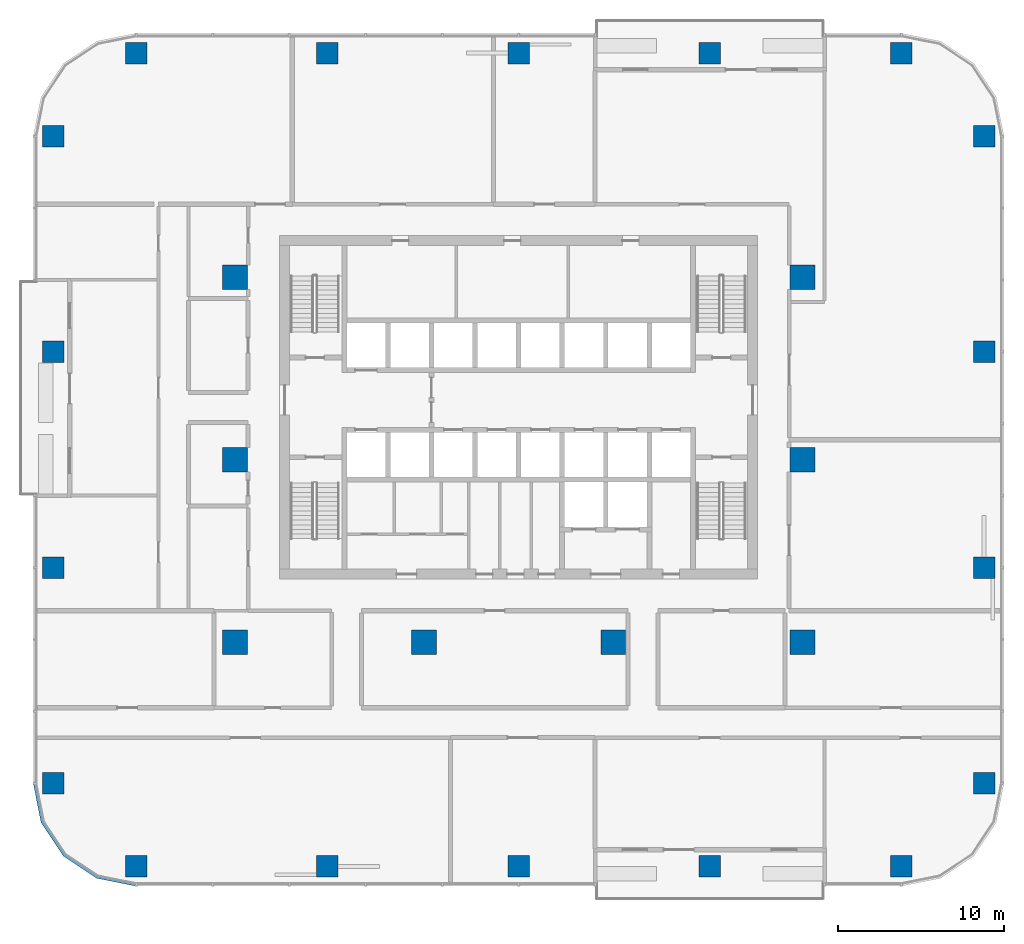
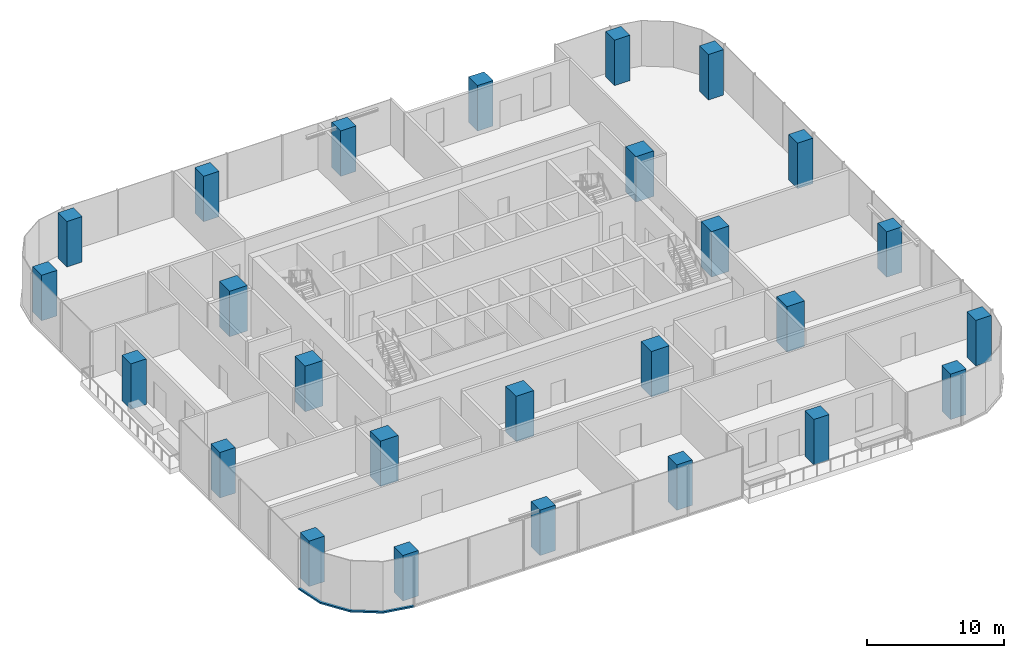
# One storey, part 1 of 15: 26 columns, 1 member, 1 element without a shape of its own.
"""IFC4 building model written with IfcOpenShell, lengths in metres."""

from ifc_helpers import new_model, si_unit, direction, frame, origin, origin_2d, place, context, subcontext, project, spatial, polyline, rectangle, outline, extrude, material, material_profile, profile_set, type_object, element, aggregate, save


model = new_model("IFC4")

# Units and contexts
model_context = context("Model", 3, precision=1e-05, world=origin(), true_north=direction((0.0, 1.0)))
body_context = subcontext(model_context, "Body", "Model", "MODEL_VIEW")
ifc_project = project(units=[si_unit("LENGTHUNIT", "METRE"), si_unit("AREAUNIT", "SQUARE_METRE"), si_unit("VOLUMEUNIT", "CUBIC_METRE"), si_unit("PLANEANGLEUNIT", "RADIAN"), si_unit("MASSUNIT", "GRAM", prefix="KILO")], contexts=[model_context])

# Site, building, storey
site_placement = place(None, origin())
site = spatial("IfcSite", under=ifc_project, at=site_placement, CompositionType="ELEMENT")
building_placement = place(site_placement, origin())
building = spatial("IfcBuilding", under=site, at=building_placement, Name="Mopane Tessera Tower", CompositionType="ELEMENT")
storey_placement = place(building_placement, frame((0.0, 0.0, 117.10009765625)))
storey = spatial("IfcBuildingStorey", under=building, at=storey_placement, Name="L23", CompositionType="ELEMENT", Elevation=117.10009765625)

# Columns
ifc_material_1 = material(Name="Concrete C60/75", Category="concrete")
ifc_material_profile_1 = material_profile(ifc_material_1, rectangle(XDim=1.5, YDim=1.5, at=origin_2d()))
ifc_profile_set_1 = profile_set([ifc_material_profile_1], Name="Concrete C60/75")
column_type_1 = type_object("IfcColumnType", Name="Interior column 1500 x 1500 C60/75", PredefinedType="COLUMN", material=ifc_profile_set_1)
for number, where, z_axis, x_axis, name in (
    (1, (-17.10009765625, -11.0, 0.0), (0.0, 0.0, 1.0), (1.0, 0.0, 0.0), "Interior column I1A L23"),
    (2, (-17.10009765625, 0.0, 0.0), (0.0, 0.0, 1.0), (1.0, 0.0, 0.0), "Interior column I1B L23"),
    (3, (-17.10009765625, 11.0, 0.0), (0.0, 0.0, 1.0), (1.0, 0.0, 0.0), "Interior column I1C L23"),
    (4, (-5.699951171875, -11.0, 0.0), (0.0, 0.0, 1.0), (1.0, 0.0, 0.0), "Interior column I2A L23"),
    (5, (5.699951171875, -11.0, 0.0), (0.0, 0.0, 1.0), (1.0, 0.0, 0.0), "Interior column I3A L23"),
    (6, (17.10009765625, -11.0, 0.0), (0.0, 0.0, 1.0), (1.0, 0.0, 0.0), "Interior column I4A L23"),
    (7, (17.10009765625, 0.0, 0.0), (0.0, 0.0, 1.0), (1.0, 0.0, 0.0), "Interior column I4B L23"),
    (8, (17.10009765625, 11.0, 0.0), (0.0, 0.0, 1.0), (1.0, 0.0, 0.0), "Interior column I4C L23"),
):
    element("IfcColumn", number, at=place(storey_placement, frame(where, z_axis=z_axis, x_axis=x_axis)), inside=storey, type_object=column_type_1, Name=name, PredefinedType="COLUMN", context=body_context, shape_type="SweptSolid", body=[
        extrude(rectangle(XDim=1.5, YDim=1.5, at=origin_2d()), origin(), (0.0, 0.0, 1.0), 4.0498046875),
    ])
ifc_material_2 = material(Name="Concrete C60/75", Category="concrete")
ifc_material_profile_2 = material_profile(ifc_material_2, rectangle(XDim=1.300048828125, YDim=1.300048828125, at=origin_2d()))
ifc_profile_set_2 = profile_set([ifc_material_profile_2], Name="Concrete C60/75")
column_type_2 = type_object("IfcColumnType", Name="Ring column 1300 x 1300 C60/75", PredefinedType="COLUMN", material=ifc_profile_set_2)
for number, where, z_axis, x_axis, name in (
    (9, (-23.050048828125, -24.5, 0.0), (0.0, 0.0, 1.0), (1.0, 0.0, 0.0), "Ring column S0 L23"),
    (10, (-11.52490234375, -24.5, 0.0), (0.0, 0.0, 1.0), (1.0, 0.0, 0.0), "Ring column S1 L23"),
    (11, (0.0, -24.5, 0.0), (0.0, 0.0, 1.0), (1.0, 0.0, 0.0), "Ring column S2 L23"),
    (12, (11.52490234375, -24.5, 0.0), (0.0, 0.0, 1.0), (1.0, 0.0, 0.0), "Ring column S3 L23"),
    (13, (23.050048828125, -24.5, 0.0), (0.0, 0.0, 1.0), (1.0, 0.0, 0.0), "Ring column S4 L23"),
    (14, (28.050048828125, -19.5, 0.0), (0.0, 0.0, 1.0), (1.0, 0.0, 0.0), "Ring column E0 L23"),
    (15, (28.050048828125, -6.5, 0.0), (0.0, 0.0, 1.0), (1.0, 0.0, 0.0), "Ring column E1 L23"),
    (16, (28.050048828125, 6.5, 0.0), (0.0, 0.0, 1.0), (1.0, 0.0, 0.0), "Ring column E2 L23"),
    (17, (28.050048828125, 19.5, 0.0), (0.0, 0.0, 1.0), (1.0, 0.0, 0.0), "Ring column E3 L23"),
    (18, (23.050048828125, 24.5, 0.0), (0.0, 0.0, 1.0), (1.0, 0.0, 0.0), "Ring column N0 L23"),
    (19, (11.52490234375, 24.5, 0.0), (0.0, 0.0, 1.0), (1.0, 0.0, 0.0), "Ring column N1 L23"),
    (20, (0.0, 24.5, 0.0), (0.0, 0.0, 1.0), (1.0, 0.0, 0.0), "Ring column N2 L23"),
    (21, (-11.52490234375, 24.5, 0.0), (0.0, 0.0, 1.0), (1.0, 0.0, 0.0), "Ring column N3 L23"),
    (22, (-23.050048828125, 24.5, 0.0), (0.0, 0.0, 1.0), (1.0, 0.0, 0.0), "Ring column N4 L23"),
    (23, (-28.050048828125, 19.5, 0.0), (0.0, 0.0, 1.0), (1.0, 0.0, 0.0), "Ring column W0 L23"),
    (24, (-28.050048828125, 6.5, 0.0), (0.0, 0.0, 1.0), (1.0, 0.0, 0.0), "Ring column W1 L23"),
    (25, (-28.050048828125, -6.5, 0.0), (0.0, 0.0, 1.0), (1.0, 0.0, 0.0), "Ring column W2 L23"),
    (26, (-28.050048828125, -19.5, 0.0), (0.0, 0.0, 1.0), (1.0, 0.0, 0.0), "Ring column W3 L23"),
):
    element("IfcColumn", number, at=place(storey_placement, frame(where, z_axis=z_axis, x_axis=x_axis)), inside=storey, type_object=column_type_2, Name=name, PredefinedType="COLUMN", context=body_context, shape_type="SweptSolid", body=[
        extrude(rectangle(XDim=1.300048828125, YDim=1.300048828125, at=origin_2d()), origin(), (0.0, 0.0, 1.0), 4.0498046875),
    ])

# Curtain wall, member
ifc_material_3 = material(Name="Aluminium frame", Category="aluminium")
curtain_wall_type = type_object("IfcCurtainWallType", Name="Lower tower unitised wall", PredefinedType="NOTDEFINED", material=ifc_material_3)
curtain_wall_placement = place(storey_placement, origin())
curtain_wall = element("IfcCurtainWall", 27, at=curtain_wall_placement, inside=storey, type_object=curtain_wall_type, Name="e:cw:L23:CW", PredefinedType="NOTDEFINED")
ifc_material_4 = material(Name="Aluminium frame", Category="aluminium")
ifc_material_profile_3 = material_profile(ifc_material_4, rectangle(XDim=0.199951171875, YDim=0.139892578125, at=origin_2d()))
ifc_profile_set_3 = profile_set([ifc_material_profile_3], Name="Aluminium frame")
member_type = type_object("IfcMemberType", Name="Aluminium transom 200 x 140", PredefinedType="USERDEFINED", material=ifc_profile_set_3)
member_placement = place(storey_placement, frame((0.0, 0.0, -0.4501953125)))
member = element("IfcMember", 28, at=member_placement, type_object=member_type, Name="e:cw:L23:CW:tr", ObjectType="TRANSOM", PredefinedType="USERDEFINED", context=body_context, shape_type="SweptSolid", body=[
    extrude(outline(polyline([(-29.050048828125, -19.5), (-28.59326171875, -21.796142578125), (-27.292724609375, -23.74267578125), (-25.34619140625, -25.043212890625), (-23.050048828125, -25.5), (-23.050048828125, -25.699951171875), (-25.422607421875, -25.22802734375), (-27.43408203125, -23.884033203125), (-28.778076171875, -21.87255859375), (-29.25, -19.5), (-29.050048828125, -19.5)])), origin(), (0.0, 0.0, 1.0), 0.14013671875),
])
aggregate(curtain_wall, [member])

save(model, "model.ifc")
